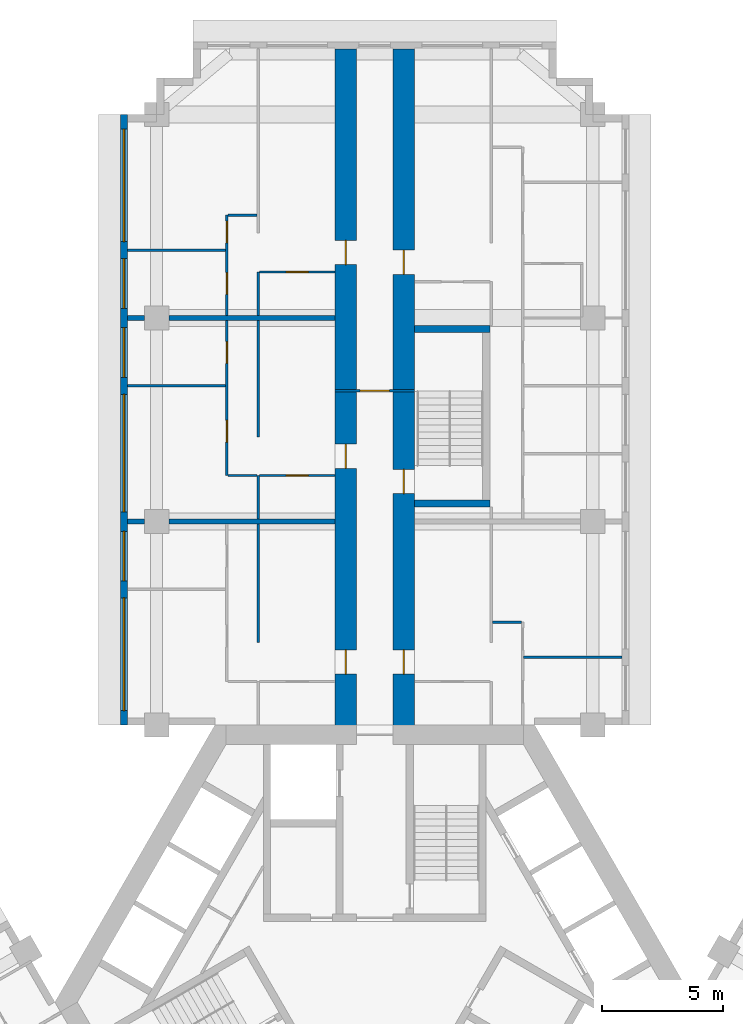
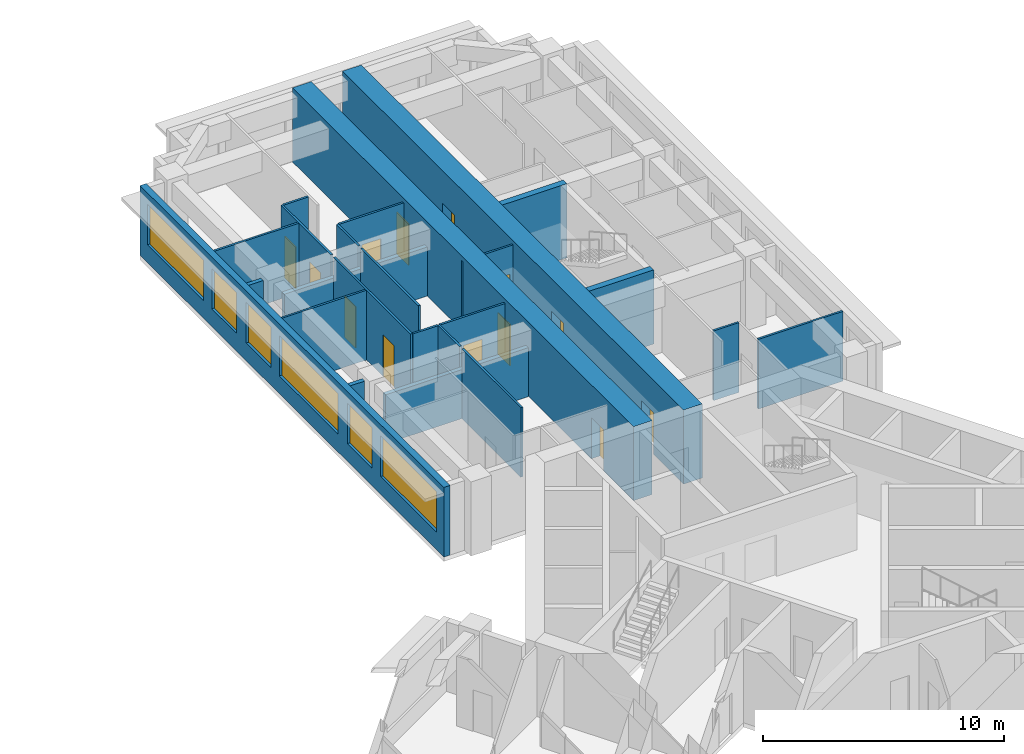
# One storey, part 9 of 14: 24 walls, 13 doors, 6 windows, 19 openings.
"""IFC4 building model written with IfcOpenShell, lengths in metres."""

from ifc_helpers import new_model, si_unit, direction, frame, frame_2d, origin, place, context, subcontext, project, spatial, rectangle, extrude, material, layer, layer_set, type_object, element, fill, save


model = new_model("IFC4")

# Units and contexts
model_context = context("Model", 3, precision=1e-05, world=origin(), true_north=direction((0.0, 1.0)))
body_context = subcontext(model_context, "Body", "Model", "MODEL_VIEW")
ifc_project = project(units=[si_unit("LENGTHUNIT", "METRE"), si_unit("AREAUNIT", "SQUARE_METRE"), si_unit("VOLUMEUNIT", "CUBIC_METRE"), si_unit("PLANEANGLEUNIT", "RADIAN"), si_unit("MASSUNIT", "GRAM", prefix="KILO")], contexts=[model_context])

# Site, building, storey
site_placement = place(None, origin())
site = spatial("IfcSite", under=ifc_project, at=site_placement, CompositionType="ELEMENT")
building_placement = place(site_placement, origin())
building = spatial("IfcBuilding", under=site, at=building_placement, Name="Impinga Residences", CompositionType="ELEMENT")
storey_placement = place(building_placement, frame((0.0, 0.0, 117.25)))
storey = spatial("IfcBuildingStorey", under=building, at=storey_placement, Name="L28", CompositionType="ELEMENT", Elevation=117.25)

# Wall, openings, doors
ifc_material_1 = material(Name="Concrete C60/75", Category="concrete")
ifc_layer_1 = layer(ifc_material_1, 0.89990234375)
ifc_layer_set_1 = layer_set([ifc_layer_1], Name="Concrete C60/75")
wall_type_1 = type_object("IfcWallType", Name="BW2 corridor buttress wall, L24 to L44 900", PredefinedType="SHEAR", material=ifc_layer_set_1)
wall_1_placement = place(storey_placement, frame((-1.199951171875, 11.031494140625, 0.0), z_axis=(0.0, 0.0, 1.0), x_axis=(0.0, 1.0, 0.0)))
wall_1 = element("IfcWall", 1, at=wall_1_placement, inside=storey, type_object=wall_type_1, Name="Corridor wall BW2 NC L28", PredefinedType="SHEAR", context=body_context, shape_type="SweptSolid", body=[
    extrude(rectangle(XDim=28.300048828125, YDim=0.89990234375, at=frame_2d((14.14990234375, 0.0))), origin(), (0.0, 0.0, 1.0), 3.75),
])
opening_1_placement = place(wall_1_placement, frame((2.5, 0.0, 0.0)))
opening_1 = element("IfcOpeningElement", 2, at=opening_1_placement, cuts=wall_1, Name="Opening D1", PredefinedType="OPENING", context=body_context, shape_type="SweptSolid", body=[
    extrude(rectangle(XDim=1.0, YDim=2.10009765625, at=frame_2d((0.5, 1.050048828125))), frame((0.0, 0.4599609375, 0.0), z_axis=(0.0, -1.0, 0.0), x_axis=(1.0, 0.0, 0.0)), (0.0, 0.0, 1.0), 0.919921875),
])
opening_2_placement = place(wall_1_placement, frame((11.0, 0.0, 0.0)))
opening_2 = element("IfcOpeningElement", 3, at=opening_2_placement, cuts=wall_1, Name="Opening D1", PredefinedType="OPENING", context=body_context, shape_type="SweptSolid", body=[
    extrude(rectangle(XDim=1.0, YDim=2.10009765625, at=frame_2d((0.5, 1.050048828125))), frame((0.0, 0.4599609375, 0.0), z_axis=(0.0, -1.0, 0.0), x_axis=(1.0, 0.0, 0.0)), (0.0, 0.0, 1.0), 0.919921875),
])
opening_3_placement = place(wall_1_placement, frame((19.39990234375, 0.0, 0.0)))
opening_3 = element("IfcOpeningElement", 4, at=opening_3_placement, cuts=wall_1, Name="Opening D1", PredefinedType="OPENING", context=body_context, shape_type="SweptSolid", body=[
    extrude(rectangle(XDim=1.0, YDim=2.10009765625, at=frame_2d((0.5, 1.050048828125))), frame((0.0, 0.4599609375, 0.0), z_axis=(0.0, -1.0, 0.0), x_axis=(1.0, 0.0, 0.0)), (0.0, 0.0, 1.0), 0.919921875),
])
ifc_material_2 = material(Name="Timber door set", Category="wood")
door_type_1 = type_object("IfcDoorType", Name="D1 apartment entrance door 1000x2100", OperationType="SINGLE_SWING_LEFT", PredefinedType="DOOR", material=ifc_material_2)
door_1_placement = place(opening_1_placement, origin())
door_1 = element("IfcDoor", 5, at=door_1_placement, inside=storey, type_object=door_type_1, Name="Apartment L28-NA1 entrance", OperationType="SINGLE_SWING_LEFT", OverallHeight=2.10009765625, OverallWidth=1.0, PredefinedType="DOOR", context=body_context, shape_type="SweptSolid", body=[
    extrude(rectangle(XDim=1.0, YDim=2.10009765625, at=frame_2d((0.5, 1.050048828125))), frame((0.0, 0.02490234375, 0.0), z_axis=(0.0, -1.0, 0.0), x_axis=(1.0, 0.0, 0.0)), (0.0, 0.0, 1.0), 0.050048828125),
])
fill(opening_1, door_1)
door_2_placement = place(opening_2_placement, origin())
door_2 = element("IfcDoor", 6, at=door_2_placement, inside=storey, type_object=door_type_1, Name="Apartment L28-NA2 entrance", OperationType="SINGLE_SWING_LEFT", OverallHeight=2.10009765625, OverallWidth=1.0, PredefinedType="DOOR", context=body_context, shape_type="SweptSolid", body=[
    extrude(rectangle(XDim=1.0, YDim=2.10009765625, at=frame_2d((0.5, 1.050048828125))), frame((0.0, 0.02490234375, 0.0), z_axis=(0.0, -1.0, 0.0), x_axis=(1.0, 0.0, 0.0)), (0.0, 0.0, 1.0), 0.050048828125),
])
fill(opening_2, door_2)
door_3_placement = place(opening_3_placement, origin())
door_3 = element("IfcDoor", 7, at=door_3_placement, inside=storey, type_object=door_type_1, Name="Apartment L28-NA3 entrance", OperationType="SINGLE_SWING_RIGHT", OverallHeight=2.10009765625, OverallWidth=1.0, PredefinedType="DOOR", context=body_context, shape_type="SweptSolid", body=[
    extrude(rectangle(XDim=1.0, YDim=2.10009765625, at=frame_2d((0.5, 1.050048828125))), frame((0.0, 0.02490234375, 0.0), z_axis=(0.0, -1.0, 0.0), x_axis=(1.0, 0.0, 0.0)), (0.0, 0.0, 1.0), 0.050048828125),
])
fill(opening_3, door_3)

wall_2_placement = place(storey_placement, frame((1.199951171875, 11.031494140625, 0.0), z_axis=(0.0, 0.0, 1.0), x_axis=(0.0, 1.0, 0.0)))
wall_2 = element("IfcWall", 8, at=wall_2_placement, inside=storey, type_object=wall_type_1, Name="Corridor wall BW2 ND L28", PredefinedType="SHEAR", context=body_context, shape_type="SweptSolid", body=[
    extrude(rectangle(XDim=28.300048828125, YDim=0.89990234375, at=frame_2d((14.14990234375, 0.0))), origin(), (0.0, 0.0, 1.0), 3.75),
])
opening_4_placement = place(wall_2_placement, frame((9.949951171875, 0.0, 0.0)))
opening_4 = element("IfcOpeningElement", 9, at=opening_4_placement, cuts=wall_2, Name="Opening D5", PredefinedType="OPENING", context=body_context, shape_type="SweptSolid", body=[
    extrude(rectangle(XDim=1.0, YDim=2.10009765625, at=frame_2d((0.5, 1.050048828125))), frame((0.0, 0.4599609375, 0.0), z_axis=(0.0, -1.0, 0.0), x_axis=(1.0, 0.0, 0.0)), (0.0, 0.0, 1.0), 0.919921875),
])
opening_5_placement = place(wall_2_placement, frame((2.5, 0.0, 0.0)))
opening_5 = element("IfcOpeningElement", 10, at=opening_5_placement, cuts=wall_2, Name="Opening D1", PredefinedType="OPENING", context=body_context, shape_type="SweptSolid", body=[
    extrude(rectangle(XDim=1.0, YDim=2.10009765625, at=frame_2d((0.5, 1.050048828125))), frame((0.0, 0.4599609375, 0.0), z_axis=(0.0, -1.0, 0.0), x_axis=(1.0, 0.0, 0.0)), (0.0, 0.0, 1.0), 0.919921875),
])
opening_6_placement = place(wall_2_placement, frame((19.0, 0.0, 0.0)))
opening_6 = element("IfcOpeningElement", 11, at=opening_6_placement, cuts=wall_2, Name="Opening D1", PredefinedType="OPENING", context=body_context, shape_type="SweptSolid", body=[
    extrude(rectangle(XDim=1.0, YDim=2.10009765625, at=frame_2d((0.5, 1.050048828125))), frame((0.0, 0.4599609375, 0.0), z_axis=(0.0, -1.0, 0.0), x_axis=(1.0, 0.0, 0.0)), (0.0, 0.0, 1.0), 0.919921875),
])
door_4_placement = place(opening_5_placement, origin())
door_4 = element("IfcDoor", 12, at=door_4_placement, inside=storey, type_object=door_type_1, Name="Apartment L28-NF1 entrance", OperationType="SINGLE_SWING_LEFT", OverallHeight=2.10009765625, OverallWidth=1.0, PredefinedType="DOOR", context=body_context, shape_type="SweptSolid", body=[
    extrude(rectangle(XDim=1.0, YDim=2.10009765625, at=frame_2d((0.5, 1.050048828125))), frame((0.0, 0.02490234375, 0.0), z_axis=(0.0, -1.0, 0.0), x_axis=(1.0, 0.0, 0.0)), (0.0, 0.0, 1.0), 0.050048828125),
])
fill(opening_5, door_4)
door_5_placement = place(opening_6_placement, origin())
door_5 = element("IfcDoor", 13, at=door_5_placement, inside=storey, type_object=door_type_1, Name="Apartment L28-NF2 entrance", OperationType="SINGLE_SWING_RIGHT", OverallHeight=2.10009765625, OverallWidth=1.0, PredefinedType="DOOR", context=body_context, shape_type="SweptSolid", body=[
    extrude(rectangle(XDim=1.0, YDim=2.10009765625, at=frame_2d((0.5, 1.050048828125))), frame((0.0, 0.02490234375, 0.0), z_axis=(0.0, -1.0, 0.0), x_axis=(1.0, 0.0, 0.0)), (0.0, 0.0, 1.0), 0.050048828125),
])
fill(opening_6, door_5)
door_type_2 = type_object("IfcDoorType", Name="D5 stair door 1000x2100", OperationType="SINGLE_SWING_LEFT", PredefinedType="DOOR", material=ifc_material_2)
door_6_placement = place(opening_4_placement, origin())
door_6 = element("IfcDoor", 14, at=door_6_placement, inside=storey, type_object=door_type_2, Name="Wing stair door N", OperationType="SINGLE_SWING_LEFT", OverallHeight=2.10009765625, OverallWidth=1.0, PredefinedType="DOOR", context=body_context, shape_type="SweptSolid", body=[
    extrude(rectangle(XDim=1.0, YDim=2.10009765625, at=frame_2d((0.5, 1.050048828125))), frame((0.0, 0.02490234375, 0.0), z_axis=(0.0, -1.0, 0.0), x_axis=(1.0, 0.0, 0.0)), (0.0, 0.0, 1.0), 0.050048828125),
])
fill(opening_4, door_6)

# Wall, opening, door
ifc_material_3 = material(Name="Concrete blockwork", Category="masonry")
ifc_layer_2 = layer(ifc_material_3, 0.10009765625)
ifc_layer_set_2 = layer_set([ifc_layer_2], Name="CP1 core room partition, blockwork 100")
wall_type_2 = type_object("IfcWallType", Name="CP1 core room partition, blockwork 100", PredefinedType="PARTITIONING", material=ifc_layer_set_2)
wall_3_placement = place(storey_placement, frame((-1.64990234375, 25.2314453125, 0.0), z_axis=(0.0, 0.0, 1.0), x_axis=(1.0, 0.0, 0.0)))
wall_3 = element("IfcWall", 15, at=wall_3_placement, inside=storey, type_object=wall_type_2, Name="Core room partition, blockwork L28:N:PLB", PredefinedType="PARTITIONING", context=body_context, shape_type="SweptSolid", body=[
    extrude(rectangle(XDim=3.2998046875, YDim=0.10009765625, at=frame_2d((1.64990234375, 0.0))), origin(), (0.0, 0.0, 1.0), 3.530029296875),
])
opening_7_placement = place(wall_3_placement, frame((1.050048828125, 0.0, 0.0)))
opening_7 = element("IfcOpeningElement", 16, at=opening_7_placement, cuts=wall_3, Name="Opening D3", PredefinedType="OPENING", context=body_context, shape_type="SweptSolid", body=[
    extrude(rectangle(XDim=1.199951171875, YDim=2.10009765625, at=frame_2d((0.60009765625, 1.050048828125))), frame((0.0, 0.06005859375, 0.0), z_axis=(0.0, -1.0, 0.0), x_axis=(1.0, 0.0, 0.0)), (0.0, 0.0, 1.0), 0.1201171875),
])
door_type_3 = type_object("IfcDoorType", Name="D3 room door, leaf and a half 1200x2100", OperationType="DOUBLE_SWING_LEFT", PredefinedType="DOOR", material=ifc_material_2)
door_7_placement = place(opening_7_placement, origin())
door_7 = element("IfcDoor", 17, at=door_7_placement, inside=storey, type_object=door_type_3, Name="Private lobby door N", OperationType="DOUBLE_SWING_LEFT", OverallHeight=2.10009765625, OverallWidth=1.199951171875, PredefinedType="DOOR", context=body_context, shape_type="SweptSolid", body=[
    extrude(rectangle(XDim=1.199951171875, YDim=2.10009765625, at=frame_2d((0.60009765625, 1.050048828125))), frame((0.0, 0.02490234375, 0.0), z_axis=(0.0, -1.0, 0.0), x_axis=(1.0, 0.0, 0.0)), (0.0, 0.0, 1.0), 0.050048828125),
])
fill(opening_7, door_7)

# Wall, openings, windows
ifc_material_4 = material(Name="Terracotta rainscreen on blockwork", Category="masonry")
ifc_layer_3 = layer(ifc_material_4, 0.300048828125)
ifc_layer_set_3 = layer_set([ifc_layer_3], Name="EW1 external wall, terracotta rainscreen on blockwork 300")
wall_type_3 = type_object("IfcWallType", Name="EW1 external wall, terracotta rainscreen on blockwork 300", PredefinedType="SOLIDWALL", material=ifc_layer_set_3)
wall_4_placement = place(storey_placement, frame((-10.35009765625, 11.431640625, 0.0), z_axis=(0.0, 0.0, 1.0), x_axis=(0.0, 1.0, 0.0)))
wall_4 = element("IfcWall", 18, at=wall_4_placement, inside=storey, type_object=wall_type_3, Name="External wall EW1 L28", PredefinedType="SOLIDWALL", context=body_context, shape_type="SweptSolid", body=[
    extrude(rectangle(XDim=25.199951171875, YDim=0.300048828125, at=frame_2d((12.60009765625, 0.0))), origin(), (0.0, 0.0, 1.0), 3.530029296875),
])
opening_8_placement = place(wall_4_placement, frame((0.60009765625, 0.0, 0.89990234375)))
opening_8 = element("IfcOpeningElement", 19, at=opening_8_placement, cuts=wall_4, Name="Opening W10", PredefinedType="OPENING", context=body_context, shape_type="SweptSolid", body=[
    extrude(rectangle(XDim=4.64990234375, YDim=2.050048828125, at=frame_2d((2.324951171875, 1.02490234375))), frame((0.0, 0.159912109375, 0.0), z_axis=(0.0, -1.0, 0.0), x_axis=(1.0, 0.0, 0.0)), (0.0, 0.0, 1.0), 0.320068359375),
])
opening_9_placement = place(wall_4_placement, frame((5.949951171875, 0.0, 0.89990234375)))
opening_9 = element("IfcOpeningElement", 20, at=opening_9_placement, cuts=wall_4, Name="Opening W14", PredefinedType="OPENING", context=body_context, shape_type="SweptSolid", body=[
    extrude(rectangle(XDim=2.050048828125, YDim=2.050048828125, at=frame_2d((1.02490234375, 1.02490234375))), frame((0.0, 0.159912109375, 0.0), z_axis=(0.0, -1.0, 0.0), x_axis=(1.0, 0.0, 0.0)), (0.0, 0.0, 1.0), 0.320068359375),
])
opening_10_placement = place(wall_4_placement, frame((8.800048828125, 0.0, 0.89990234375)))
opening_10 = element("IfcOpeningElement", 21, at=opening_10_placement, cuts=wall_4, Name="Opening W6", PredefinedType="OPENING", context=body_context, shape_type="SweptSolid", body=[
    extrude(rectangle(XDim=4.85009765625, YDim=2.050048828125, at=frame_2d((2.425048828125, 1.02490234375))), frame((0.0, 0.159912109375, 0.0), z_axis=(0.0, -1.0, 0.0), x_axis=(1.0, 0.0, 0.0)), (0.0, 0.0, 1.0), 0.320068359375),
])
opening_11_placement = place(wall_4_placement, frame((14.35009765625, 0.0, 0.89990234375)))
opening_11 = element("IfcOpeningElement", 22, at=opening_11_placement, cuts=wall_4, Name="Opening W14", PredefinedType="OPENING", context=body_context, shape_type="SweptSolid", body=[
    extrude(rectangle(XDim=2.050048828125, YDim=2.050048828125, at=frame_2d((1.02490234375, 1.02490234375))), frame((0.0, 0.159912109375, 0.0), z_axis=(0.0, -1.0, 0.0), x_axis=(1.0, 0.0, 0.0)), (0.0, 0.0, 1.0), 0.320068359375),
])
opening_12_placement = place(wall_4_placement, frame((17.199951171875, 0.0, 0.89990234375)))
opening_12 = element("IfcOpeningElement", 23, at=opening_12_placement, cuts=wall_4, Name="Opening W14", PredefinedType="OPENING", context=body_context, shape_type="SweptSolid", body=[
    extrude(rectangle(XDim=2.050048828125, YDim=2.050048828125, at=frame_2d((1.02490234375, 1.02490234375))), frame((0.0, 0.159912109375, 0.0), z_axis=(0.0, -1.0, 0.0), x_axis=(1.0, 0.0, 0.0)), (0.0, 0.0, 1.0), 0.320068359375),
])
opening_13_placement = place(wall_4_placement, frame((19.949951171875, 0.0, 0.89990234375)))
opening_13 = element("IfcOpeningElement", 24, at=opening_13_placement, cuts=wall_4, Name="Opening W10", PredefinedType="OPENING", context=body_context, shape_type="SweptSolid", body=[
    extrude(rectangle(XDim=4.64990234375, YDim=2.050048828125, at=frame_2d((2.324951171875, 1.02490234375))), frame((0.0, 0.159912109375, 0.0), z_axis=(0.0, -1.0, 0.0), x_axis=(1.0, 0.0, 0.0)), (0.0, 0.0, 1.0), 0.320068359375),
])
ifc_material_5 = material(Name="Aluminium window, clear double glazing", Category="aluminium")
window_type_1 = type_object("IfcWindowType", Name="W10 ribbon window 4650x2050", PartitioningType="SINGLE_PANEL", PredefinedType="WINDOW", material=ifc_material_5)
window_1_placement = place(opening_8_placement, origin())
window_1 = element("IfcWindow", 25, at=window_1_placement, inside=storey, type_object=window_type_1, Name="Window L28", OverallHeight=2.050048828125, OverallWidth=4.64990234375, PartitioningType="SINGLE_PANEL", PredefinedType="WINDOW", context=body_context, shape_type="SweptSolid", body=[
    extrude(rectangle(XDim=4.64990234375, YDim=2.050048828125, at=frame_2d((2.324951171875, 1.02490234375))), frame((0.0, 0.030029296875, 0.0), z_axis=(0.0, -1.0, 0.0), x_axis=(1.0, 0.0, 0.0)), (0.0, 0.0, 1.0), 0.06005859375),
])
fill(opening_8, window_1)
window_2_placement = place(opening_13_placement, origin())
window_2 = element("IfcWindow", 26, at=window_2_placement, inside=storey, type_object=window_type_1, Name="Window L28", OverallHeight=2.050048828125, OverallWidth=4.64990234375, PartitioningType="SINGLE_PANEL", PredefinedType="WINDOW", context=body_context, shape_type="SweptSolid", body=[
    extrude(rectangle(XDim=4.64990234375, YDim=2.050048828125, at=frame_2d((2.324951171875, 1.02490234375))), frame((0.0, 0.030029296875, 0.0), z_axis=(0.0, -1.0, 0.0), x_axis=(1.0, 0.0, 0.0)), (0.0, 0.0, 1.0), 0.06005859375),
])
fill(opening_13, window_2)
window_type_2 = type_object("IfcWindowType", Name="W14 ribbon window 2050x2050", PartitioningType="SINGLE_PANEL", PredefinedType="WINDOW", material=ifc_material_5)
window_3_placement = place(opening_9_placement, origin())
window_3 = element("IfcWindow", 27, at=window_3_placement, inside=storey, type_object=window_type_2, Name="Window L28", OverallHeight=2.050048828125, OverallWidth=2.050048828125, PartitioningType="SINGLE_PANEL", PredefinedType="WINDOW", context=body_context, shape_type="SweptSolid", body=[
    extrude(rectangle(XDim=2.050048828125, YDim=2.050048828125, at=frame_2d((1.02490234375, 1.02490234375))), frame((0.0, 0.030029296875, 0.0), z_axis=(0.0, -1.0, 0.0), x_axis=(1.0, 0.0, 0.0)), (0.0, 0.0, 1.0), 0.06005859375),
])
fill(opening_9, window_3)
window_4_placement = place(opening_11_placement, origin())
window_4 = element("IfcWindow", 28, at=window_4_placement, inside=storey, type_object=window_type_2, Name="Window L28", OverallHeight=2.050048828125, OverallWidth=2.050048828125, PartitioningType="SINGLE_PANEL", PredefinedType="WINDOW", context=body_context, shape_type="SweptSolid", body=[
    extrude(rectangle(XDim=2.050048828125, YDim=2.050048828125, at=frame_2d((1.02490234375, 1.02490234375))), frame((0.0, 0.030029296875, 0.0), z_axis=(0.0, -1.0, 0.0), x_axis=(1.0, 0.0, 0.0)), (0.0, 0.0, 1.0), 0.06005859375),
])
fill(opening_11, window_4)
window_5_placement = place(opening_12_placement, origin())
window_5 = element("IfcWindow", 29, at=window_5_placement, inside=storey, type_object=window_type_2, Name="Window L28", OverallHeight=2.050048828125, OverallWidth=2.050048828125, PartitioningType="SINGLE_PANEL", PredefinedType="WINDOW", context=body_context, shape_type="SweptSolid", body=[
    extrude(rectangle(XDim=2.050048828125, YDim=2.050048828125, at=frame_2d((1.02490234375, 1.02490234375))), frame((0.0, 0.030029296875, 0.0), z_axis=(0.0, -1.0, 0.0), x_axis=(1.0, 0.0, 0.0)), (0.0, 0.0, 1.0), 0.06005859375),
])
fill(opening_12, window_5)
window_type_3 = type_object("IfcWindowType", Name="W6 ribbon window 4850x2050", PartitioningType="SINGLE_PANEL", PredefinedType="WINDOW", material=ifc_material_5)
window_6_placement = place(opening_10_placement, origin())
window_6 = element("IfcWindow", 30, at=window_6_placement, inside=storey, type_object=window_type_3, Name="Window L28", OverallHeight=2.050048828125, OverallWidth=4.85009765625, PartitioningType="SINGLE_PANEL", PredefinedType="WINDOW", context=body_context, shape_type="SweptSolid", body=[
    extrude(rectangle(XDim=4.85009765625, YDim=2.050048828125, at=frame_2d((2.425048828125, 1.02490234375))), frame((0.0, 0.030029296875, 0.0), z_axis=(0.0, -1.0, 0.0), x_axis=(1.0, 0.0, 0.0)), (0.0, 0.0, 1.0), 0.06005859375),
])
fill(opening_10, window_6)

# Walls
ifc_material_6 = material(Name="Gypsum board on steel studs", Category="steel")
ifc_layer_4 = layer(ifc_material_6, 0.10009765625)
ifc_layer_set_4 = layer_set([ifc_layer_4], Name="Gypsum board on steel studs")
wall_type_4 = type_object("IfcWallType", Name="IP1 partition 100", PredefinedType="PARTITIONING", material=ifc_layer_set_4)
wall_5_placement = place(storey_placement, frame((-4.800048828125, 14.83154296875, 0.0), z_axis=(0.0, 0.0, 1.0), x_axis=(0.0, 1.0, 0.0)))
element("IfcWall", 31, at=wall_5_placement, inside=storey, type_object=wall_type_4, Name="Partition L28-NA1:DIV1", PredefinedType="PARTITIONING", context=body_context, shape_type="SweptSolid", body=[
    extrude(rectangle(XDim=4.89990234375, YDim=0.10009765625, at=frame_2d((2.449951171875, 0.0))), origin(), (0.0, 0.0, 1.0), 3.530029296875),
])
wall_6_placement = place(storey_placement, frame((-4.800048828125, 19.931640625, 0.0), z_axis=(0.0, 0.0, 1.0), x_axis=(0.0, 1.0, 0.0)))
element("IfcWall", 32, at=wall_6_placement, inside=storey, type_object=wall_type_4, Name="Partition L28-NA2:DIV0", PredefinedType="PARTITIONING", context=body_context, shape_type="SweptSolid", body=[
    extrude(rectangle(XDim=1.7998046875, YDim=0.10009765625, at=frame_2d((0.89990234375, 0.0))), origin(), (0.0, 0.0, 1.0), 3.530029296875),
])
wall_7_placement = place(storey_placement, frame((-4.800048828125, 23.33154296875, 0.0), z_axis=(0.0, 0.0, 1.0), x_axis=(0.0, 1.0, 0.0)))
element("IfcWall", 33, at=wall_7_placement, inside=storey, type_object=wall_type_4, Name="Partition L28-NA2:DIV1", PredefinedType="PARTITIONING", context=body_context, shape_type="SweptSolid", body=[
    extrude(rectangle(XDim=4.800048828125, YDim=0.10009765625, at=frame_2d((2.39990234375, 0.0))), origin(), (0.0, 0.0, 1.0), 3.530029296875),
])

# Wall, openings, doors
wall_8_placement = place(storey_placement, frame((-6.10009765625, 21.7314453125, 0.0), z_axis=(0.0, 0.0, 1.0), x_axis=(0.0, 1.0, 0.0)))
wall_8 = element("IfcWall", 34, at=wall_8_placement, inside=storey, type_object=wall_type_4, Name="Partition L28-NA2:STRIP", PredefinedType="PARTITIONING", context=body_context, shape_type="SweptSolid", body=[
    extrude(rectangle(XDim=6.400146484375, YDim=0.10009765625, at=frame_2d((3.2001953125, 0.0))), origin(), (0.0, 0.0, 1.0), 3.530029296875),
])
opening_14_placement = place(wall_8_placement, frame((1.375, 0.0, 0.0)))
opening_14 = element("IfcOpeningElement", 35, at=opening_14_placement, cuts=wall_8, Name="Opening D2", PredefinedType="OPENING", context=body_context, shape_type="SweptSolid", body=[
    extrude(rectangle(XDim=0.89990234375, YDim=2.10009765625, at=frame_2d((0.449951171875, 1.050048828125))), frame((0.0, 0.06005859375, 0.0), z_axis=(0.0, -1.0, 0.0), x_axis=(1.0, 0.0, 0.0)), (0.0, 0.0, 1.0), 0.1201171875),
])
opening_15_placement = place(wall_8_placement, frame((4.625, 0.0, 0.0)))
opening_15 = element("IfcOpeningElement", 36, at=opening_15_placement, cuts=wall_8, Name="Opening D2", PredefinedType="OPENING", context=body_context, shape_type="SweptSolid", body=[
    extrude(rectangle(XDim=0.89990234375, YDim=2.10009765625, at=frame_2d((0.449951171875, 1.050048828125))), frame((0.0, 0.06005859375, 0.0), z_axis=(0.0, -1.0, 0.0), x_axis=(1.0, 0.0, 0.0)), (0.0, 0.0, 1.0), 0.1201171875),
])
door_type_4 = type_object("IfcDoorType", Name="D2 internal door 900x2100", OperationType="SINGLE_SWING_LEFT", PredefinedType="DOOR", material=ifc_material_2)
door_8_placement = place(opening_14_placement, origin())
door_8 = element("IfcDoor", 37, at=door_8_placement, inside=storey, type_object=door_type_4, Name="Apartment L28-NA2 room door", OperationType="SINGLE_SWING_LEFT", OverallHeight=2.10009765625, OverallWidth=0.89990234375, PredefinedType="DOOR", context=body_context, shape_type="SweptSolid", body=[
    extrude(rectangle(XDim=0.89990234375, YDim=2.10009765625, at=frame_2d((0.449951171875, 1.050048828125))), frame((0.0, 0.02490234375, 0.0), z_axis=(0.0, -1.0, 0.0), x_axis=(1.0, 0.0, 0.0)), (0.0, 0.0, 1.0), 0.050048828125),
])
fill(opening_14, door_8)
door_9_placement = place(opening_15_placement, origin())
door_9 = element("IfcDoor", 38, at=door_9_placement, inside=storey, type_object=door_type_4, Name="Apartment L28-NA2 room door", OperationType="SINGLE_SWING_RIGHT", OverallHeight=2.10009765625, OverallWidth=0.89990234375, PredefinedType="DOOR", context=body_context, shape_type="SweptSolid", body=[
    extrude(rectangle(XDim=0.89990234375, YDim=2.10009765625, at=frame_2d((0.449951171875, 1.050048828125))), frame((0.0, 0.02490234375, 0.0), z_axis=(0.0, -1.0, 0.0), x_axis=(1.0, 0.0, 0.0)), (0.0, 0.0, 1.0), 0.050048828125),
])
fill(opening_15, door_9)

# Wall
wall_9_placement = place(storey_placement, frame((-4.85009765625, 21.7314453125, 0.0), z_axis=(0.0, 0.0, 1.0), x_axis=(-1.0, 0.0, 0.0)))
element("IfcWall", 39, at=wall_9_placement, inside=storey, type_object=wall_type_4, Name="Partition L28-NA2:SE0", PredefinedType="PARTITIONING", context=body_context, shape_type="SweptSolid", body=[
    extrude(rectangle(XDim=1.199951171875, YDim=0.10009765625, at=frame_2d((0.60009765625, 0.0))), origin(), (0.0, 0.0, 1.0), 3.530029296875),
])

# Wall, opening, door
wall_10_placement = place(storey_placement, frame((-1.64990234375, 21.7314453125, 0.0), z_axis=(0.0, 0.0, 1.0), x_axis=(-1.0, 0.0, 0.0)))
wall_10 = element("IfcWall", 40, at=wall_10_placement, inside=storey, type_object=wall_type_4, Name="Partition L28-NA2:IB1", PredefinedType="PARTITIONING", context=body_context, shape_type="SweptSolid", body=[
    extrude(rectangle(XDim=3.10009765625, YDim=0.10009765625, at=frame_2d((1.550048828125, 0.0))), origin(), (0.0, 0.0, 1.0), 3.530029296875),
])
opening_16_placement = place(wall_10_placement, frame((1.10009765625, 0.0, 0.0)))
opening_16 = element("IfcOpeningElement", 41, at=opening_16_placement, cuts=wall_10, Name="Opening D2", PredefinedType="OPENING", context=body_context, shape_type="SweptSolid", body=[
    extrude(rectangle(XDim=0.89990234375, YDim=2.10009765625, at=frame_2d((0.449951171875, 1.050048828125))), frame((0.0, 0.06005859375, 0.0), z_axis=(0.0, -1.0, 0.0), x_axis=(1.0, 0.0, 0.0)), (0.0, 0.0, 1.0), 0.1201171875),
])
door_10_placement = place(opening_16_placement, origin())
door_10 = element("IfcDoor", 42, at=door_10_placement, inside=storey, type_object=door_type_4, Name="Apartment L28-NA2 bathroom door", OperationType="SINGLE_SWING_LEFT", OverallHeight=2.10009765625, OverallWidth=0.89990234375, PredefinedType="DOOR", context=body_context, shape_type="SweptSolid", body=[
    extrude(rectangle(XDim=0.89990234375, YDim=2.10009765625, at=frame_2d((0.449951171875, 1.050048828125))), frame((0.0, 0.02490234375, 0.0), z_axis=(0.0, -1.0, 0.0), x_axis=(1.0, 0.0, 0.0)), (0.0, 0.0, 1.0), 0.050048828125),
])
fill(opening_16, door_10)

# Walls
wall_11_placement = place(storey_placement, frame((-6.14990234375, 25.431640625, 0.0), z_axis=(0.0, 0.0, 1.0), x_axis=(-1.0, 0.0, 0.0)))
element("IfcWall", 43, at=wall_11_placement, inside=storey, type_object=wall_type_4, Name="Partition L28-NA2:OB1", PredefinedType="PARTITIONING", context=body_context, shape_type="SweptSolid", body=[
    extrude(rectangle(XDim=4.050048828125, YDim=0.10009765625, at=frame_2d((2.02490234375, 0.0))), origin(), (0.0, 0.0, 1.0), 3.530029296875),
])
wall_12_placement = place(storey_placement, frame((-4.800048828125, 28.33154296875, 0.0), z_axis=(0.0, 0.0, 1.0), x_axis=(0.0, 1.0, 0.0)))
element("IfcWall", 44, at=wall_12_placement, inside=storey, type_object=wall_type_4, Name="Partition L28-NA3:DIV0", PredefinedType="PARTITIONING", context=body_context, shape_type="SweptSolid", body=[
    extrude(rectangle(XDim=1.800048828125, YDim=0.10009765625, at=frame_2d((0.89990234375, 0.0))), origin(), (0.0, 0.0, 1.0), 3.530029296875),
])

# Wall, openings, doors
wall_13_placement = place(storey_placement, frame((-6.10009765625, 28.33154296875, 0.0), z_axis=(0.0, 0.0, 1.0), x_axis=(0.0, 1.0, 0.0)))
wall_13 = element("IfcWall", 45, at=wall_13_placement, inside=storey, type_object=wall_type_4, Name="Partition L28-NA3:STRIP", PredefinedType="PARTITIONING", context=body_context, shape_type="SweptSolid", body=[
    extrude(rectangle(XDim=4.14990234375, YDim=0.10009765625, at=frame_2d((2.074951171875, 0.0))), origin(), (0.0, 0.0, 1.0), 3.530029296875),
])
opening_17_placement = place(wall_13_placement, frame((0.875, 0.0, 0.0)))
opening_17 = element("IfcOpeningElement", 46, at=opening_17_placement, cuts=wall_13, Name="Opening D2", PredefinedType="OPENING", context=body_context, shape_type="SweptSolid", body=[
    extrude(rectangle(XDim=0.89990234375, YDim=2.10009765625, at=frame_2d((0.449951171875, 1.050048828125))), frame((0.0, 0.06005859375, 0.0), z_axis=(0.0, -1.0, 0.0), x_axis=(1.0, 0.0, 0.0)), (0.0, 0.0, 1.0), 0.1201171875),
])
opening_18_placement = place(wall_13_placement, frame((3.0, 0.0, 0.0)))
opening_18 = element("IfcOpeningElement", 47, at=opening_18_placement, cuts=wall_13, Name="Opening D2", PredefinedType="OPENING", context=body_context, shape_type="SweptSolid", body=[
    extrude(rectangle(XDim=0.89990234375, YDim=2.10009765625, at=frame_2d((0.449951171875, 1.050048828125))), frame((0.0, 0.06005859375, 0.0), z_axis=(0.0, -1.0, 0.0), x_axis=(1.0, 0.0, 0.0)), (0.0, 0.0, 1.0), 0.1201171875),
])
door_11_placement = place(opening_17_placement, origin())
door_11 = element("IfcDoor", 48, at=door_11_placement, inside=storey, type_object=door_type_4, Name="Apartment L28-NA3 room door", OperationType="SINGLE_SWING_LEFT", OverallHeight=2.10009765625, OverallWidth=0.89990234375, PredefinedType="DOOR", context=body_context, shape_type="SweptSolid", body=[
    extrude(rectangle(XDim=0.89990234375, YDim=2.10009765625, at=frame_2d((0.449951171875, 1.050048828125))), frame((0.0, 0.02490234375, 0.0), z_axis=(0.0, -1.0, 0.0), x_axis=(1.0, 0.0, 0.0)), (0.0, 0.0, 1.0), 0.050048828125),
])
fill(opening_17, door_11)
door_12_placement = place(opening_18_placement, origin())
door_12 = element("IfcDoor", 49, at=door_12_placement, inside=storey, type_object=door_type_4, Name="Apartment L28-NA3 room door", OperationType="SINGLE_SWING_RIGHT", OverallHeight=2.10009765625, OverallWidth=0.89990234375, PredefinedType="DOOR", context=body_context, shape_type="SweptSolid", body=[
    extrude(rectangle(XDim=0.89990234375, YDim=2.10009765625, at=frame_2d((0.449951171875, 1.050048828125))), frame((0.0, 0.02490234375, 0.0), z_axis=(0.0, -1.0, 0.0), x_axis=(1.0, 0.0, 0.0)), (0.0, 0.0, 1.0), 0.050048828125),
])
fill(opening_18, door_12)

# Wall
wall_14_placement = place(storey_placement, frame((-4.85009765625, 32.4814453125, 0.0), z_axis=(0.0, 0.0, 1.0), x_axis=(-1.0, 0.0, 0.0)))
element("IfcWall", 50, at=wall_14_placement, inside=storey, type_object=wall_type_4, Name="Partition L28-NA3:SE1", PredefinedType="PARTITIONING", context=body_context, shape_type="SweptSolid", body=[
    extrude(rectangle(XDim=1.199951171875, YDim=0.10009765625, at=frame_2d((0.60009765625, 0.0))), origin(), (0.0, 0.0, 1.0), 3.530029296875),
])

# Wall, opening, door
wall_15_placement = place(storey_placement, frame((-1.64990234375, 30.131591796875, 0.0), z_axis=(0.0, 0.0, 1.0), x_axis=(-1.0, 0.0, 0.0)))
wall_15 = element("IfcWall", 51, at=wall_15_placement, inside=storey, type_object=wall_type_4, Name="Partition L28-NA3:IB1", PredefinedType="PARTITIONING", context=body_context, shape_type="SweptSolid", body=[
    extrude(rectangle(XDim=3.10009765625, YDim=0.10009765625, at=frame_2d((1.550048828125, 0.0))), origin(), (0.0, 0.0, 1.0), 3.530029296875),
])
opening_19_placement = place(wall_15_placement, frame((1.10009765625, 0.0, 0.0)))
opening_19 = element("IfcOpeningElement", 52, at=opening_19_placement, cuts=wall_15, Name="Opening D2", PredefinedType="OPENING", context=body_context, shape_type="SweptSolid", body=[
    extrude(rectangle(XDim=0.89990234375, YDim=2.10009765625, at=frame_2d((0.449951171875, 1.050048828125))), frame((0.0, 0.06005859375, 0.0), z_axis=(0.0, -1.0, 0.0), x_axis=(1.0, 0.0, 0.0)), (0.0, 0.0, 1.0), 0.1201171875),
])
door_13_placement = place(opening_19_placement, origin())
door_13 = element("IfcDoor", 53, at=door_13_placement, inside=storey, type_object=door_type_4, Name="Apartment L28-NA3 bathroom door", OperationType="SINGLE_SWING_LEFT", OverallHeight=2.10009765625, OverallWidth=0.89990234375, PredefinedType="DOOR", context=body_context, shape_type="SweptSolid", body=[
    extrude(rectangle(XDim=0.89990234375, YDim=2.10009765625, at=frame_2d((0.449951171875, 1.050048828125))), frame((0.0, 0.02490234375, 0.0), z_axis=(0.0, -1.0, 0.0), x_axis=(1.0, 0.0, 0.0)), (0.0, 0.0, 1.0), 0.050048828125),
])
fill(opening_19, door_13)

# Walls
wall_16_placement = place(storey_placement, frame((-6.14990234375, 31.031494140625, 0.0), z_axis=(0.0, 0.0, 1.0), x_axis=(-1.0, 0.0, 0.0)))
element("IfcWall", 54, at=wall_16_placement, inside=storey, type_object=wall_type_4, Name="Partition L28-NA3:OB1", PredefinedType="PARTITIONING", context=body_context, shape_type="SweptSolid", body=[
    extrude(rectangle(XDim=4.050048828125, YDim=0.10009765625, at=frame_2d((2.02490234375, 0.0))), origin(), (0.0, 0.0, 1.0), 3.530029296875),
])
wall_17_placement = place(storey_placement, frame((4.85009765625, 15.681640625, 0.0), z_axis=(0.0, 0.0, 1.0), x_axis=(1.0, 0.0, 0.0)))
element("IfcWall", 55, at=wall_17_placement, inside=storey, type_object=wall_type_4, Name="Partition L28-NF1:SE1", PredefinedType="PARTITIONING", context=body_context, shape_type="SweptSolid", body=[
    extrude(rectangle(XDim=1.199951171875, YDim=0.10009765625, at=frame_2d((0.60009765625, 0.0))), origin(), (0.0, 0.0, 1.0), 3.530029296875),
])
wall_18_placement = place(storey_placement, frame((6.14990234375, 14.2314453125, 0.0), z_axis=(0.0, 0.0, 1.0), x_axis=(1.0, 0.0, 0.0)))
element("IfcWall", 56, at=wall_18_placement, inside=storey, type_object=wall_type_4, Name="Partition L28-NF1:OB1", PredefinedType="PARTITIONING", context=body_context, shape_type="SweptSolid", body=[
    extrude(rectangle(XDim=4.050048828125, YDim=0.10009765625, at=frame_2d((2.02490234375, 0.0))), origin(), (0.0, 0.0, 1.0), 3.530029296875),
])
ifc_layer_5 = layer(ifc_material_3, 0.199951171875)
ifc_layer_set_5 = layer_set([ifc_layer_5], Name="PW1 party wall between apartments 200")
wall_type_5 = type_object("IfcWallType", Name="PW1 party wall between apartments 200", PredefinedType="SOLIDWALL", material=ifc_layer_set_5)
wall_19_placement = place(storey_placement, frame((-1.64990234375, 19.83154296875, 0.0), z_axis=(0.0, 0.0, 1.0), x_axis=(-1.0, 0.0, 0.0)))
element("IfcWall", 57, at=wall_19_placement, inside=storey, type_object=wall_type_5, Name="Party wall between apartments L28-NA1:PARTY", PredefinedType="SOLIDWALL", context=body_context, shape_type="SweptSolid", body=[
    extrude(rectangle(XDim=6.85009765625, YDim=0.199951171875, at=frame_2d((3.425048828125, 0.0))), origin(), (0.0, 0.0, 1.0), 2.47998046875),
])
wall_20_placement = place(storey_placement, frame((-9.5, 19.83154296875, 0.0), z_axis=(0.0, 0.0, 1.0), x_axis=(-1.0, 0.0, 0.0)))
element("IfcWall", 58, at=wall_20_placement, inside=storey, type_object=wall_type_5, Name="Party wall between apartments L28-NA1:PARTYb", PredefinedType="SOLIDWALL", context=body_context, shape_type="SweptSolid", body=[
    extrude(rectangle(XDim=0.699951171875, YDim=0.199951171875, at=frame_2d((0.35009765625, 0.0))), origin(), (0.0, 0.0, 1.0), 3.530029296875),
])
wall_21_placement = place(storey_placement, frame((-1.64990234375, 28.2314453125, 0.0), z_axis=(0.0, 0.0, 1.0), x_axis=(-1.0, 0.0, 0.0)))
element("IfcWall", 59, at=wall_21_placement, inside=storey, type_object=wall_type_5, Name="Party wall between apartments L28-NA2:PARTY", PredefinedType="SOLIDWALL", context=body_context, shape_type="SweptSolid", body=[
    extrude(rectangle(XDim=6.85009765625, YDim=0.199951171875, at=frame_2d((3.425048828125, 0.0))), origin(), (0.0, 0.0, 1.0), 2.47998046875),
])
wall_22_placement = place(storey_placement, frame((-9.5, 28.2314453125, 0.0), z_axis=(0.0, 0.0, 1.0), x_axis=(-1.0, 0.0, 0.0)))
element("IfcWall", 60, at=wall_22_placement, inside=storey, type_object=wall_type_5, Name="Party wall between apartments L28-NA2:PARTYb", PredefinedType="SOLIDWALL", context=body_context, shape_type="SweptSolid", body=[
    extrude(rectangle(XDim=0.699951171875, YDim=0.199951171875, at=frame_2d((0.35009765625, 0.0))), origin(), (0.0, 0.0, 1.0), 3.530029296875),
])
ifc_layer_6 = layer(ifc_material_1, 0.300048828125)
ifc_layer_set_6 = layer_set([ifc_layer_6], Name="Concrete C60/75")
wall_type_6 = type_object("IfcWallType", Name="SE1 wing stair enclosure wall 300", PredefinedType="SOLIDWALL", material=ifc_layer_set_6)
for number, where, z_axis, x_axis, name in (
    (61, (1.64990234375, 20.58154296875, 0.0), (0.0, 0.0, 1.0), (1.0, 0.0, 0.0), "Stair enclosure wall SE1 N END0 L28"),
    (62, (1.64990234375, 27.781494140625, 0.0), (0.0, 0.0, 1.0), (1.0, 0.0, 0.0), "Stair enclosure wall SE1 N END1 L28"),
):
    element("IfcWall", number, at=place(storey_placement, frame(where, z_axis=z_axis, x_axis=x_axis)), inside=storey, type_object=wall_type_6, Name=name, PredefinedType="SOLIDWALL", context=body_context, shape_type="SweptSolid", body=[
        extrude(rectangle(XDim=3.10009765625, YDim=0.300048828125, at=frame_2d((1.550048828125, 0.0))), origin(), (0.0, 0.0, 1.0), 3.75),
    ])

save(model, "model.ifc")
